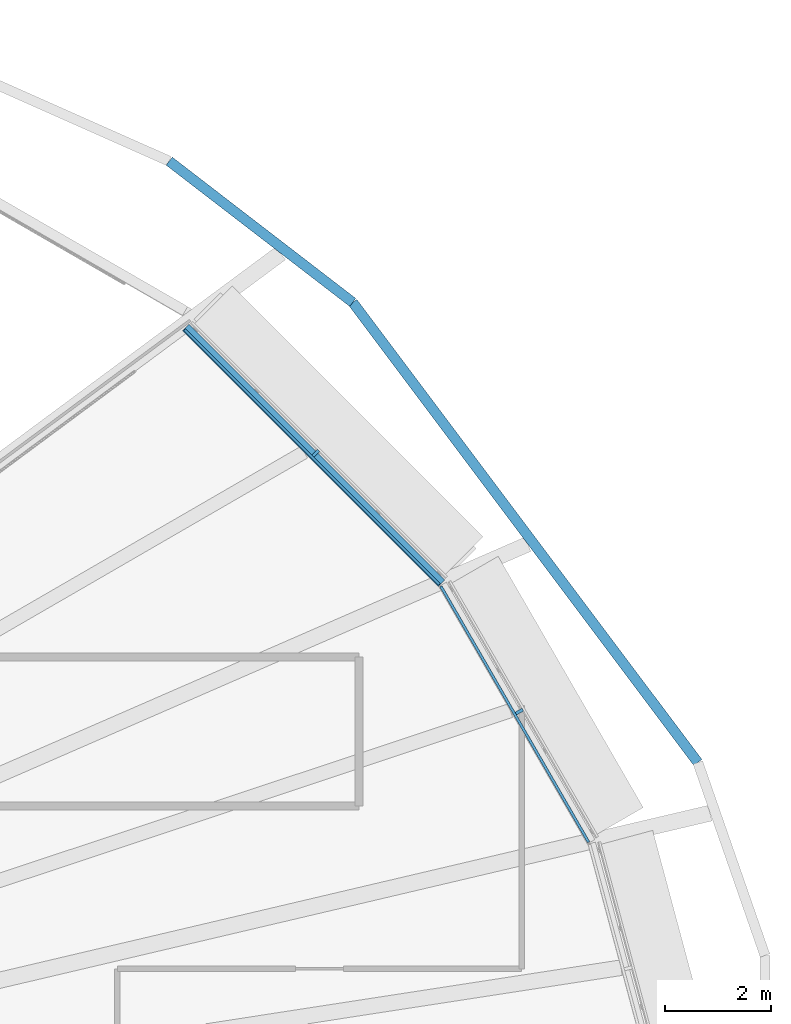
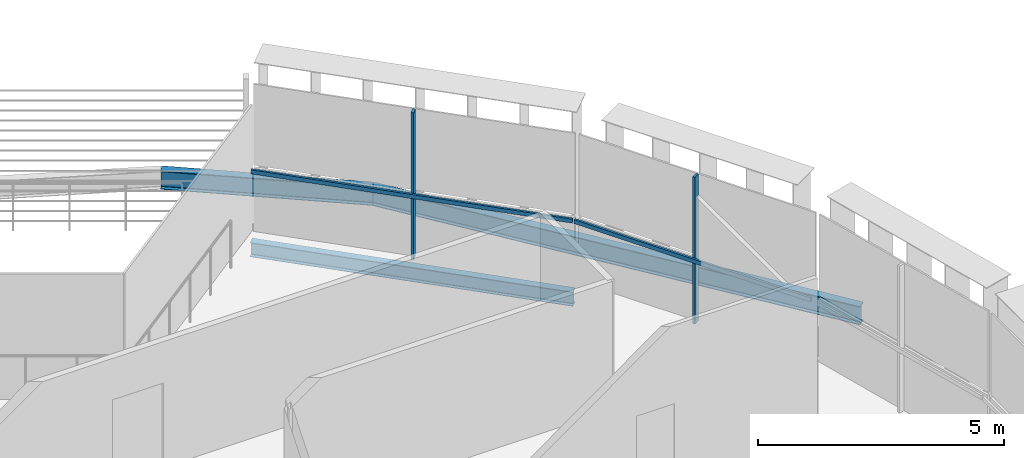
# One storey, part 9 of 25: 4 members, 3 beams, 2 elements without a shape of their own.
"""IFC4 building model written with IfcOpenShell, lengths in metres."""

import ifcopenshell
import ifcopenshell.guid

model = None  # the IFC model being written
_history = None  # IfcOwnerHistory: only IFC2X3 demands one
_inside = {}  # id of a spatial element -> (the spatial element, [elements in it])
_under = {}  # id of a project, library or spatial element -> (it, [spatial elements below it])
_declared = {}  # id of a project -> (the project, [libraries it declares])
_typed = {}  # id of a type object -> (the type object, [elements of that type])
_made_of = {}  # id of a material, layer set ... -> (it, [elements and type objects made of it])


def new_model(schema):
    """Start an empty IFC model of exactly this schema.

    Asked for "IFC4X3", IfcOpenShell would pick the latest addendum, in which some entities
    have other attributes; the version numbers below select the first issue.
    IFC2X3 requires an IfcOwnerHistory on every rooted entity: one is made here for all.
    """
    global model, _history
    if schema == "IFC4X3":
        model = ifcopenshell.file(schema_version=(4, 3, 0, 0))
    else:
        model = ifcopenshell.file(schema=schema)
    _inside.clear()
    _under.clear()
    _declared.clear()
    _typed.clear()
    _made_of.clear()
    _history = None
    if model.schema == "IFC2X3":
        org = make("IfcOrganization", Name="unknown")
        user = make(
            "IfcPersonAndOrganization",
            ThePerson=make("IfcPerson", FamilyName="unknown"),
            TheOrganization=org,
        )
        app = make(
            "IfcApplication",
            ApplicationDeveloper=org,
            Version="unknown",
            ApplicationFullName="unknown",
            ApplicationIdentifier="unknown",
        )
        _history = make(
            "IfcOwnerHistory",
            OwningUser=user,
            OwningApplication=app,
            ChangeAction="ADDED",
            CreationDate=0,
        )
    return model


def make(cls, **values):
    """One entity of the class cls with the attributes given. An attribute that is None is left unset."""
    return model.create_entity(
        cls, **{name: value for name, value in values.items() if value is not None}
    )


def rooted(cls, **values):
    """An entity with a GlobalId (a new one), such as an element, a storey or a relation."""
    return make(cls, GlobalId=ifcopenshell.guid.new(), OwnerHistory=_history, **values)


def si_unit(unit_type, name, prefix=None):
    """IfcSIUnit, for example si_unit("LENGTHUNIT", "METRE", prefix="MILLI")."""
    return make("IfcSIUnit", UnitType=unit_type, Prefix=prefix, Name=name)


def assignment(units):
    """IfcUnitAssignment: the units of a project."""
    return None if units is None else make("IfcUnitAssignment", Units=units)


def point(xyz):
    """IfcCartesianPoint."""
    return None if xyz is None else make("IfcCartesianPoint", Coordinates=xyz)


def direction(xyz):
    """IfcDirection."""
    return None if xyz is None else make("IfcDirection", DirectionRatios=xyz)


def frame(location, z_axis=None, x_axis=None):
    """IfcAxis2Placement3D, a coordinate frame: its origin and axes. An axis left out is left unset."""
    return make(
        "IfcAxis2Placement3D",
        Location=point(location),
        Axis=direction(z_axis),
        RefDirection=direction(x_axis),
    )


def frame_2d(location, x_axis=None):
    """IfcAxis2Placement2D, a coordinate frame in the plane: its origin and x axis."""
    return make(
        "IfcAxis2Placement2D", Location=point(location), RefDirection=direction(x_axis)
    )


def origin():
    """The frame at (0, 0, 0) with its axes left unset."""
    return frame((0.0, 0.0, 0.0))


def origin_2d():
    """The frame at (0, 0) in the plane with its x axis left unset."""
    return frame_2d((0.0, 0.0))


def place(relative_to, where):
    """IfcLocalPlacement: puts the frame where relative to a parent placement (None: the world)."""
    return make(
        "IfcLocalPlacement", PlacementRelTo=relative_to, RelativePlacement=where
    )


def context(
    kind, dimensions, precision=None, world=None, true_north=None, identifier=None
):
    """IfcGeometricRepresentationContext, for example the 3D "Model" context."""
    return make(
        "IfcGeometricRepresentationContext",
        ContextIdentifier=identifier,
        ContextType=kind,
        CoordinateSpaceDimension=dimensions,
        Precision=precision,
        WorldCoordinateSystem=world,
        TrueNorth=true_north,
    )


def subcontext(parent, identifier, kind, view, scale=None):
    """IfcGeometricRepresentationSubContext, for example "Body" below "Model"."""
    return make(
        "IfcGeometricRepresentationSubContext",
        ContextIdentifier=identifier,
        ContextType=kind,
        ParentContext=parent,
        TargetScale=scale,
        TargetView=view,
    )


def project(units=None, contexts=None):
    """IfcProject with its units and contexts."""
    return rooted(
        "IfcProject",
        Name="project",
        RepresentationContexts=contexts,
        UnitsInContext=assignment(units),
    )


def spatial(cls, under=None, at=None, **own):
    """A site, building, storey or space (cls), placed at a placement, below another one or the project."""
    s = rooted(cls, ObjectPlacement=at, **own)
    if under is not None:
        _under.setdefault(under.id(), (under, []))[1].append(s)
    return s


def profile(cls, at=None, kind="AREA", **sizes):
    """A parametric profile (cls). Its sizes go by their IFC names, for example OverallWidth=200.0."""
    return make(cls, ProfileType=kind, Position=at, **sizes)


def rectangle(**sizes):
    """IfcRectangleProfileDef."""
    return profile("IfcRectangleProfileDef", **sizes)


def i_section(**sizes):
    """IfcIShapeProfileDef."""
    return profile("IfcIShapeProfileDef", **sizes)


def extrude(swept, where, along, depth):
    """IfcExtrudedAreaSolid: the profile swept, set in the frame where, extruded along a direction by depth."""
    return make(
        "IfcExtrudedAreaSolid",
        SweptArea=swept,
        Position=where,
        ExtrudedDirection=direction(along),
        Depth=depth,
    )


def shape(context_of_items, identifier, shape_type, items):
    """IfcShapeRepresentation: the items that make up one representation, for example the "Body"."""
    return make(
        "IfcShapeRepresentation",
        ContextOfItems=context_of_items,
        RepresentationIdentifier=identifier,
        RepresentationType=shape_type,
        Items=items,
    )


def material(Name=None, Category=None):
    """IfcMaterial."""
    return make("IfcMaterial", Name=Name, Category=Category)


def layer(
    of_material, thickness, ventilated=None, Name=None, Category=None, Priority=None
):
    """IfcMaterialLayer: one layer of a wall or slab, of a material (None: an air gap)."""
    return make(
        "IfcMaterialLayer",
        Material=of_material,
        LayerThickness=thickness,
        IsVentilated=ventilated,
        Name=Name,
        Category=Category,
        Priority=Priority,
    )


def layer_set(layers, Name=None):
    """IfcMaterialLayerSet."""
    return make("IfcMaterialLayerSet", MaterialLayers=layers, LayerSetName=Name)


def material_profile(
    of_material, cross_section, Name=None, Category=None, Priority=None
):
    """IfcMaterialProfile: a cross section and its material."""
    return make(
        "IfcMaterialProfile",
        Name=Name,
        Material=of_material,
        Profile=cross_section,
        Priority=Priority,
        Category=Category,
    )


def profile_set(profiles, Name=None, composite=None):
    """IfcMaterialProfileSet."""
    return make(
        "IfcMaterialProfileSet",
        Name=Name,
        MaterialProfiles=profiles,
        CompositeProfile=composite,
    )


def made_of(thing, what):
    """Note that an element or type object is made of a material, layer set ...; save() writes the relation."""
    if what is not None:
        _made_of.setdefault(what.id(), (what, []))[1].append(thing)
    return thing


def type_object(cls, material=None, **own):
    """A type object (cls), such as IfcWallType, which elements share."""
    return made_of(rooted(cls, **own), material)


def element(
    cls,
    number,
    at=None,
    inside=None,
    cuts=None,
    type_object=None,
    material=None,
    context=None,
    identifier="Body",
    shape_type=None,
    held_by="IfcProductDefinitionShape",
    body=None,
    shapes=None,
    **own,
):
    """One element of the class cls, such as IfcWall. Its Tag is "e" and its number.

    at: its placement. inside: the storey or other place that contains it. cuts: it is an
    opening in that element (IfcRelVoidsElement). A single representation is given by context,
    identifier, shape_type and body (its items); several are given by shapes. held_by: the class
    of the entity that holds the representations. save() writes the other relations.
    """
    e = rooted(cls, Tag="e%d" % number, ObjectPlacement=at, **own)
    if body is not None:
        shapes = [shape(context, identifier, shape_type, body)]
    if shapes is not None:
        e.Representation = make(held_by, Representations=shapes)
    if inside is not None:
        _inside.setdefault(inside.id(), (inside, []))[1].append(e)
    if cuts is not None:
        rooted(
            "IfcRelVoidsElement", RelatingBuildingElement=cuts, RelatedOpeningElement=e
        )
    if type_object is not None:
        _typed.setdefault(type_object.id(), (type_object, []))[1].append(e)
    return made_of(e, material)


def aggregate(whole, parts):
    """IfcRelAggregates: a whole, such as a stair, and the parts it consists of."""
    return rooted("IfcRelAggregates", RelatingObject=whole, RelatedObjects=parts)


def save(model, path):
    """Write the relations noted so far, then the file.

    IfcRelAggregates (storeys below a building ...), IfcRelContainedInSpatialStructure (elements
    in a storey), IfcRelDefinesByType, IfcRelAssociatesMaterial and IfcRelDeclares: one each for
    every whole, place, type object, material and project.
    """
    for whole, parts in _under.values():
        aggregate(whole, parts)
    for where, things in _inside.values():
        rooted(
            "IfcRelContainedInSpatialStructure",
            RelatedElements=things,
            RelatingStructure=where,
        )
    for kind, things in _typed.values():
        rooted("IfcRelDefinesByType", RelatedObjects=things, RelatingType=kind)
    for what, things in _made_of.values():
        rooted("IfcRelAssociatesMaterial", RelatedObjects=things, RelatingMaterial=what)
    for by, libraries in _declared.values():
        rooted("IfcRelDeclares", RelatingContext=by, RelatedDefinitions=libraries)
    model.write(path)


model = new_model("IFC4")

# Units and contexts
model_context = context("Model", 3, precision=1e-05, world=origin(), true_north=direction((0.0, 1.0)))
body_context = subcontext(model_context, "Body", "Model", "MODEL_VIEW")
ifc_project = project(units=[si_unit("LENGTHUNIT", "METRE"), si_unit("AREAUNIT", "SQUARE_METRE"), si_unit("VOLUMEUNIT", "CUBIC_METRE"), si_unit("PLANEANGLEUNIT", "RADIAN"), si_unit("MASSUNIT", "GRAM", prefix="KILO")], contexts=[model_context])

# Site, building, storey
site_placement = place(None, origin())
site = spatial("IfcSite", under=ifc_project, at=site_placement, CompositionType="ELEMENT")
building_placement = place(site_placement, origin())
building = spatial("IfcBuilding", under=site, at=building_placement, Name="Sahrelin Media Tower", CompositionType="ELEMENT")
storey_placement = place(building_placement, frame((0.0, 0.0, 127.199951171875)))
storey = spatial("IfcBuildingStorey", under=building, at=storey_placement, Name="L25", CompositionType="ELEMENT", Elevation=127.199951171875)

# Beam
ifc_material_1 = material(Name="Steel S355", Category="steel")
ifc_material_profile_1 = material_profile(ifc_material_1, i_section(OverallWidth=0.17138671875, OverallDepth=0.35498046875, WebThickness=0.00732421875, FlangeThickness=0.011474609375, FilletRadius=0.01025390625, at=origin_2d()), Name="UB 356x171x51")
ifc_profile_set_1 = profile_set([ifc_material_profile_1], Name="Steel S355")
beam_type_1 = type_object("IfcBeamType", Name="Edge beam EB3", PredefinedType="BEAM", material=ifc_profile_set_1)
beam_1_placement = place(storey_placement, frame((22.74609375, 16.79931640625, -0.327392578125), z_axis=(0.707088830897, -0.70712473102, 0.0), x_axis=(0.70712473102, 0.707088830897, 0.0)))
element("IfcBeam", 1, at=beam_1_placement, inside=storey, type_object=beam_type_1, Name="Edge beam L25-18", PredefinedType="BEAM", context=body_context, shape_type="SweptSolid", body=[
    extrude(i_section(OverallWidth=0.17138671875, OverallDepth=0.35498046875, WebThickness=0.00732421875, FlangeThickness=0.011474609375, FilletRadius=0.01025390625, at=origin_2d()), origin(), (0.0, 0.0, 1.0), 6.800537109375),
])

# Curtain wall, member
ifc_material_2 = material(Name="Champagne anodised aluminium 6063-T6", Category="aluminium")
ifc_layer = layer(ifc_material_2, 0.14990234375)
ifc_layer_set = layer_set([ifc_layer], Name="Tower ribbon curtain wall")
curtain_wall_type = type_object("IfcCurtainWallType", Name="Tower ribbon curtain wall", PredefinedType="NOTDEFINED", material=ifc_layer_set)
curtain_wall_1_placement = place(storey_placement, frame((29.098388671875, 9.6240234375, 0.0), z_axis=(0.0, 0.0, 1.0), x_axis=(1.0, 0.0, 0.0)))
curtain_wall_1 = element("IfcCurtainWall", 2, at=curtain_wall_1_placement, inside=storey, type_object=curtain_wall_type, Name="L25:CW:L25-02", PredefinedType="NOTDEFINED")
ifc_material_profile_2 = material_profile(ifc_material_2, rectangle(XDim=0.06005859375, YDim=0.14990234375, at=origin_2d()), Name="Mullion 60x150")
ifc_profile_set_2 = profile_set([ifc_material_profile_2], Name="Champagne anodised aluminium 6063-T6")
member_type_1 = type_object("IfcMemberType", Name="Mullion 60x150 CW1", PredefinedType="MULLION", material=ifc_profile_set_2)
member_1_placement = place(storey_placement, frame((29.01611328125, 9.57666015625, 0.0), z_axis=(0.0, 0.0, 1.0), x_axis=(-0.4999984885, 0.866026276448, 0.0)))
member_1 = element("IfcMember", 3, at=member_1_placement, type_object=member_type_1, Name="L25:CWM:L25-02", PredefinedType="MULLION", context=body_context, shape_type="SweptSolid", body=[
    extrude(rectangle(XDim=0.06005859375, YDim=0.14990234375, at=origin_2d()), origin(), (0.0, 0.0, 1.0), 3.648681640625),
])

curtain_wall_2_placement = place(storey_placement, frame((25.25634765625, 14.5009765625, 0.0), z_axis=(0.0, 0.0, 1.0), x_axis=(1.0, 0.0, 0.0)))
curtain_wall_2 = element("IfcCurtainWall", 4, at=curtain_wall_2_placement, inside=storey, type_object=curtain_wall_type, Name="L25:CW:L25-03", PredefinedType="NOTDEFINED")
member_2_placement = place(storey_placement, frame((25.189208984375, 14.433837890625, 0.0), z_axis=(0.0, 0.0, 1.0), x_axis=(-0.707099376343, 0.707114185953, 0.0)))
member_2 = element("IfcMember", 5, at=member_2_placement, type_object=member_type_1, Name="L25:CWM:L25-03", PredefinedType="MULLION", context=body_context, shape_type="SweptSolid", body=[
    extrude(rectangle(XDim=0.06005859375, YDim=0.14990234375, at=origin_2d()), origin(), (0.0, 0.0, 1.0), 3.648681640625),
])

# Beams
ifc_material_profile_3 = material_profile(ifc_material_1, i_section(OverallWidth=0.1904296875, OverallDepth=0.45703125, WebThickness=0.009033203125, FlangeThickness=0.014404296875, FilletRadius=0.01025390625, at=origin_2d()), Name="UB 457x191x74")
ifc_profile_set_3 = profile_set([ifc_material_profile_3], Name="Steel S355")
beam_type_2 = type_object("IfcBeamType", Name="Tie chord TC5", PredefinedType="BEAM", material=ifc_profile_set_3)
beam_2_placement = place(storey_placement, frame((32.37109375, 8.62060546875, -0.37841796875), z_axis=(-0.600050592143, 0.799962053393, 0.0), x_axis=(-0.799962053393, -0.600050592143, 0.0)))
element("IfcBeam", 6, at=beam_2_placement, inside=storey, type_object=beam_type_2, Name="Tie chord L25-02", PredefinedType="BEAM", context=body_context, shape_type="SweptSolid", body=[
    extrude(i_section(OverallWidth=0.1904296875, OverallDepth=0.45703125, WebThickness=0.009033203125, FlangeThickness=0.014404296875, FilletRadius=0.01025390625, at=origin_2d()), origin(), (0.0, 0.0, 1.0), 10.809326171875),
])
beam_3_placement = place(storey_placement, frame((25.885009765625, 17.267578125, -0.37841796875), z_axis=(-0.792463481289, 0.609919364198, 0.0), x_axis=(-0.609919364198, -0.792463481289, 0.0)))
element("IfcBeam", 7, at=beam_3_placement, inside=storey, type_object=beam_type_2, Name="Tie chord L25-03", PredefinedType="BEAM", context=body_context, shape_type="SweptSolid", body=[
    extrude(i_section(OverallWidth=0.1904296875, OverallDepth=0.45703125, WebThickness=0.009033203125, FlangeThickness=0.014404296875, FilletRadius=0.01025390625, at=origin_2d()), origin(), (0.0, 0.0, 1.0), 4.354736328125),
])

# Member
ifc_material_profile_4 = material_profile(ifc_material_2, rectangle(XDim=0.050048828125, YDim=0.10009765625, at=origin_2d()), Name="Transom 50x100")
ifc_profile_set_4 = profile_set([ifc_material_profile_4], Name="Champagne anodised aluminium 6063-T6")
member_type_2 = type_object("IfcMemberType", Name="Transom 50x100 CW1", PredefinedType="USERDEFINED", material=ifc_profile_set_4)
member_3_placement = place(storey_placement, frame((30.318115234375, 7.12158203125, 1.60009765625), z_axis=(-0.500001483402, 0.86602454734, 0.0), x_axis=(-0.86602454734, -0.500001483402, 0.0)))
member_3 = element("IfcMember", 8, at=member_3_placement, type_object=member_type_2, Name="L25:CWT:L25-02", ObjectType="TRANSOM", PredefinedType="USERDEFINED", context=body_context, shape_type="SweptSolid", body=[
    extrude(rectangle(XDim=0.050048828125, YDim=0.10009765625, at=origin_2d()), origin(), (0.0, 0.0, 1.0), 5.55419921875),
])

aggregate(curtain_wall_1, [member_1, member_3])

member_4_placement = place(storey_placement, frame((27.51171875, 11.969970703125, 1.60009765625), z_axis=(-0.707106781187, 0.707106781187, 0.0), x_axis=(-0.707106781187, -0.707106781187, 0.0)))
member_4 = element("IfcMember", 9, at=member_4_placement, type_object=member_type_2, Name="L25:CWT:L25-03", ObjectType="TRANSOM", PredefinedType="USERDEFINED", context=body_context, shape_type="SweptSolid", body=[
    extrude(rectangle(XDim=0.050048828125, YDim=0.10009765625, at=origin_2d()), origin(), (0.0, 0.0, 1.0), 6.76904296875),
])

aggregate(curtain_wall_2, [member_2, member_4])

save(model, "model.ifc")
